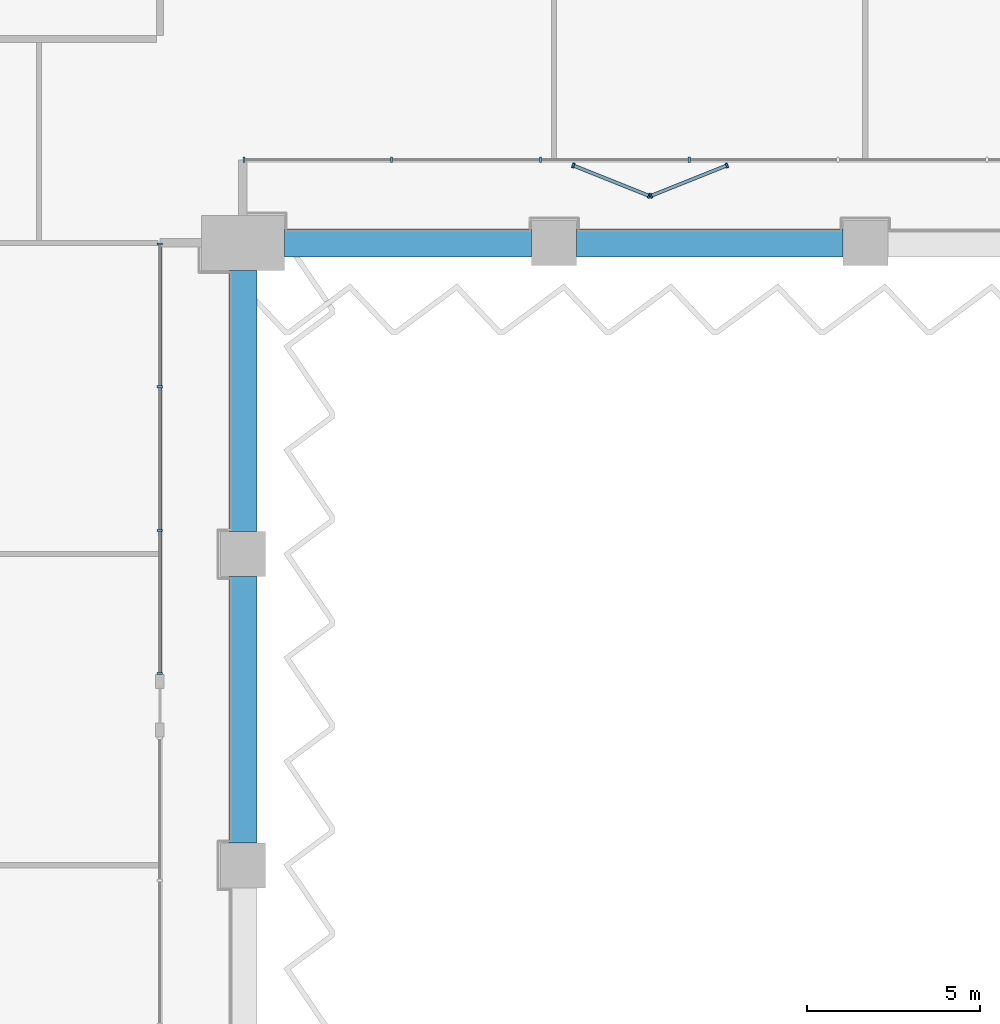
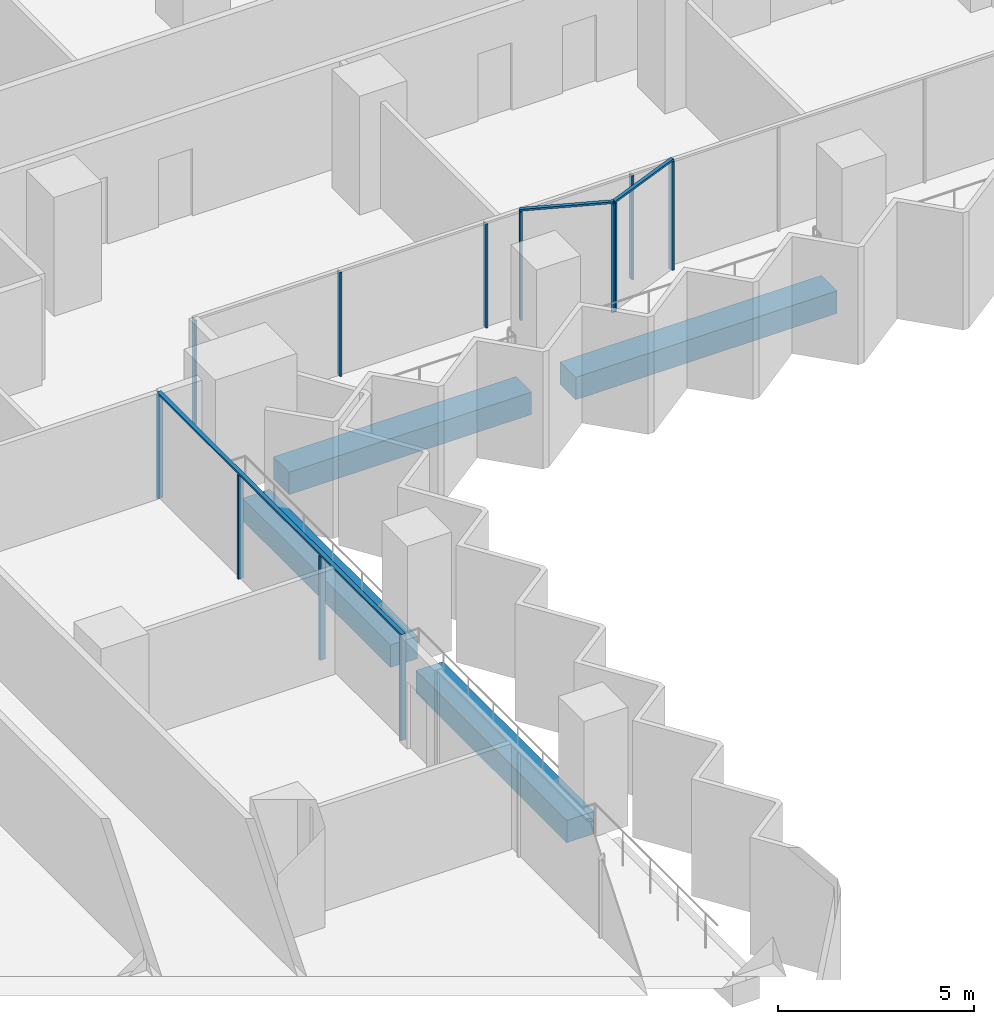
# One storey, part 4 of 28: 15 members, 4 beams, 4 elements without a shape of their own.
"""IFC4 building model written with IfcOpenShell, lengths in metres."""

from ifc_helpers import new_model, si_unit, direction, frame, origin, origin_2d, place, context, subcontext, project, spatial, rectangle, extrude, material, material_profile, profile_set, type_object, element, aggregate, save


model = new_model("IFC4")

# Units and contexts
model_context = context("Model", 3, precision=1e-05, world=origin(), true_north=direction((0.0, 1.0)))
body_context = subcontext(model_context, "Body", "Model", "MODEL_VIEW")
ifc_project = project(units=[si_unit("LENGTHUNIT", "METRE"), si_unit("AREAUNIT", "SQUARE_METRE"), si_unit("VOLUMEUNIT", "CUBIC_METRE"), si_unit("PLANEANGLEUNIT", "RADIAN"), si_unit("MASSUNIT", "GRAM", prefix="KILO")], contexts=[model_context])

# Site, building, storey
site_placement = place(None, origin())
site = spatial("IfcSite", under=ifc_project, at=site_placement, CompositionType="ELEMENT")
building_placement = place(site_placement, origin())
building = spatial("IfcBuilding", under=site, at=building_placement, Name="Hunhe Ridgeline Campus", CompositionType="ELEMENT")
storey_placement = place(building_placement, frame((0.0, 0.0, 43.199951171875)))
storey = spatial("IfcBuildingStorey", under=building, at=storey_placement, Name="L09", CompositionType="ELEMENT", Elevation=43.199951171875)

# Curtain wall, members
ifc_material_1 = material(Name="Aluminium 6063", Category="aluminium")
curtain_wall_type_1 = type_object("IfcCurtainWallType", Name="Curtain wall CW-1", PredefinedType="NOTDEFINED", material=ifc_material_1)
curtain_wall_1_placement = place(storey_placement, origin())
curtain_wall_1 = element("IfcCurtainWall", 1, at=curtain_wall_1_placement, inside=storey, type_object=curtain_wall_type_1, Name="Curtain wall 12", PredefinedType="NOTDEFINED")
ifc_material_profile_1 = material_profile(ifc_material_1, rectangle(XDim=0.159912109375, YDim=0.06005859375, at=origin_2d()))
ifc_profile_set_1 = profile_set([ifc_material_profile_1], Name="Aluminium 6063")
member_type_1 = type_object("IfcMemberType", Name="CW-1 aluminium mullion", PredefinedType="MULLION", material=ifc_profile_set_1)
member_1_placement = place(storey_placement, frame((42.59912109375, 41.54833984375, 0.0), z_axis=(0.0, 0.0, 1.0), x_axis=(-1.0, 1.60239e-07, 0.0)))
member_1 = element("IfcMember", 2, at=member_1_placement, type_object=member_type_1, Name="CW-1 mullion 1", PredefinedType="MULLION", context=body_context, shape_type="SweptSolid", body=[
    extrude(rectangle(XDim=0.159912109375, YDim=0.06005859375, at=origin_2d()), origin(), (0.0, 0.0, 1.0), 3.239990234375),
])
member_2_placement = place(storey_placement, frame((42.59912109375, 45.678955078125, 0.0), z_axis=(0.0, 0.0, 1.0), x_axis=(-1.0, 1.60239e-07, 0.0)))
member_2 = element("IfcMember", 3, at=member_2_placement, type_object=member_type_1, Name="CW-1 mullion 2", PredefinedType="MULLION", context=body_context, shape_type="SweptSolid", body=[
    extrude(rectangle(XDim=0.159912109375, YDim=0.06005859375, at=origin_2d()), origin(), (0.0, 0.0, 1.0), 3.239990234375),
])
member_3_placement = place(storey_placement, frame((42.59912109375, 49.839599609375, 0.0), z_axis=(0.0, 0.0, 1.0), x_axis=(-1.0, 1.60239e-07, 0.0)))
member_3 = element("IfcMember", 4, at=member_3_placement, type_object=member_type_1, Name="CW-1 mullion 3", PredefinedType="MULLION", context=body_context, shape_type="SweptSolid", body=[
    extrude(rectangle(XDim=0.159912109375, YDim=0.06005859375, at=origin_2d()), origin(), (0.0, 0.0, 1.0), 3.239990234375),
])
member_4_placement = place(storey_placement, frame((42.59912109375, 53.97021484375, 0.0), z_axis=(0.0, 0.0, 1.0), x_axis=(-1.0, 1.60239e-07, 0.0)))
member_4 = element("IfcMember", 5, at=member_4_placement, type_object=member_type_1, Name="CW-1 mullion 4", PredefinedType="MULLION", context=body_context, shape_type="SweptSolid", body=[
    extrude(rectangle(XDim=0.159912109375, YDim=0.06005859375, at=origin_2d()), origin(), (0.0, 0.0, 1.0), 3.239990234375),
])

curtain_wall_2_placement = place(storey_placement, origin())
curtain_wall_2 = element("IfcCurtainWall", 6, at=curtain_wall_2_placement, inside=storey, type_object=curtain_wall_type_1, Name="Curtain wall 13", PredefinedType="NOTDEFINED")
member_5_placement = place(storey_placement, frame((45.029541015625, 56.40087890625, 0.0), z_axis=(0.0, 0.0, 1.0), x_axis=(-3.602063e-06, 0.999999999994, 0.0)))
member_5 = element("IfcMember", 7, at=member_5_placement, type_object=member_type_1, Name="CW-1 mullion 1", PredefinedType="MULLION", context=body_context, shape_type="SweptSolid", body=[
    extrude(rectangle(XDim=0.159912109375, YDim=0.06005859375, at=origin_2d()), origin(), (0.0, 0.0, 1.0), 3.239990234375),
])
member_6_placement = place(storey_placement, frame((49.302490234375, 56.40087890625, 0.0), z_axis=(0.0, 0.0, 1.0), x_axis=(-3.602063e-06, 0.999999999994, 0.0)))
member_6 = element("IfcMember", 8, at=member_6_placement, type_object=member_type_1, Name="CW-1 mullion 2", PredefinedType="MULLION", context=body_context, shape_type="SweptSolid", body=[
    extrude(rectangle(XDim=0.159912109375, YDim=0.06005859375, at=origin_2d()), origin(), (0.0, 0.0, 1.0), 3.239990234375),
])
member_7_placement = place(storey_placement, frame((53.605712890625, 56.40087890625, 0.0), z_axis=(0.0, 0.0, 1.0), x_axis=(-3.602063e-06, 0.999999999994, 0.0)))
member_7 = element("IfcMember", 9, at=member_7_placement, type_object=member_type_1, Name="CW-1 mullion 3", PredefinedType="MULLION", context=body_context, shape_type="SweptSolid", body=[
    extrude(rectangle(XDim=0.159912109375, YDim=0.06005859375, at=origin_2d()), origin(), (0.0, 0.0, 1.0), 3.239990234375),
])
member_8_placement = place(storey_placement, frame((57.90869140625, 56.40087890625, 0.0), z_axis=(0.0, 0.0, 1.0), x_axis=(-3.602063e-06, 0.999999999994, 0.0)))
member_8 = element("IfcMember", 10, at=member_8_placement, type_object=member_type_1, Name="CW-1 mullion 4", PredefinedType="MULLION", context=body_context, shape_type="SweptSolid", body=[
    extrude(rectangle(XDim=0.159912109375, YDim=0.06005859375, at=origin_2d()), origin(), (0.0, 0.0, 1.0), 3.239990234375),
])
aggregate(curtain_wall_2, [member_5, member_6, member_7, member_8])

# Member
ifc_material_profile_2 = material_profile(ifc_material_1, rectangle(XDim=0.1201171875, YDim=0.06005859375, at=origin_2d()))
ifc_profile_set_2 = profile_set([ifc_material_profile_2], Name="Aluminium 6063")
member_type_2 = type_object("IfcMemberType", Name="CW-1 aluminium transom", PredefinedType="USERDEFINED", material=ifc_profile_set_2)
member_9_placement = place(storey_placement, frame((42.59912109375, 41.518310546875, 3.27001953125), z_axis=(0.0, 1.0, 0.0), x_axis=(-1.0, 0.0, 0.0)))
member_9 = element("IfcMember", 11, at=member_9_placement, type_object=member_type_2, Name="CW-1 transom 1", ObjectType="TRANSOM", PredefinedType="USERDEFINED", context=body_context, shape_type="SweptSolid", body=[
    extrude(rectangle(XDim=0.1201171875, YDim=0.06005859375, at=origin_2d()), origin(), (0.0, 0.0, 1.0), 12.481689453125),
])

aggregate(curtain_wall_1, [member_9, member_1, member_2, member_3, member_4])

# Curtain wall, members
curtain_wall_type_2 = type_object("IfcCurtainWallType", Name="Curtain wall CW-2", PredefinedType="NOTDEFINED", material=ifc_material_1)
curtain_wall_3_placement = place(storey_placement, origin())
curtain_wall_3 = element("IfcCurtainWall", 12, at=curtain_wall_3_placement, inside=storey, type_object=curtain_wall_type_2, Name="Curtain wall B01a", PredefinedType="NOTDEFINED")
ifc_material_profile_3 = material_profile(ifc_material_1, rectangle(XDim=0.139892578125, YDim=0.06005859375, at=origin_2d()))
ifc_profile_set_3 = profile_set([ifc_material_profile_3], Name="Aluminium 6063")
member_type_3 = type_object("IfcMemberType", Name="CW-2 aluminium mullion", PredefinedType="MULLION", material=ifc_profile_set_3)
member_10_placement = place(storey_placement, frame((54.55224609375, 56.23974609375, 0.0), z_axis=(0.0, 0.0, 1.0), x_axis=(0.371387403557, 0.928477999997, 0.0)))
member_10 = element("IfcMember", 13, at=member_10_placement, type_object=member_type_3, Name="CW-2 mullion 1", PredefinedType="MULLION", context=body_context, shape_type="SweptSolid", body=[
    extrude(rectangle(XDim=0.139892578125, YDim=0.06005859375, at=origin_2d()), origin(), (0.0, 0.0, 1.0), 3.39013671875),
])
member_11_placement = place(storey_placement, frame((56.74658203125, 55.362060546875, 0.0), z_axis=(0.0, 0.0, 1.0), x_axis=(0.371387403557, 0.928477999997, 0.0)))
member_11 = element("IfcMember", 14, at=member_11_placement, type_object=member_type_3, Name="CW-2 mullion 2", PredefinedType="MULLION", context=body_context, shape_type="SweptSolid", body=[
    extrude(rectangle(XDim=0.139892578125, YDim=0.06005859375, at=origin_2d()), origin(), (0.0, 0.0, 1.0), 3.39013671875),
])

curtain_wall_4_placement = place(storey_placement, origin())
curtain_wall_4 = element("IfcCurtainWall", 15, at=curtain_wall_4_placement, inside=storey, type_object=curtain_wall_type_2, Name="Curtain wall B01b", PredefinedType="NOTDEFINED")
member_12_placement = place(storey_placement, frame((56.80224609375, 55.362060546875, 0.0), z_axis=(0.0, 0.0, 1.0), x_axis=(-0.371393949135, 0.928475381766, 0.0)))
member_12 = element("IfcMember", 16, at=member_12_placement, type_object=member_type_3, Name="CW-2 mullion 1", PredefinedType="MULLION", context=body_context, shape_type="SweptSolid", body=[
    extrude(rectangle(XDim=0.139892578125, YDim=0.06005859375, at=origin_2d()), origin(), (0.0, 0.0, 1.0), 3.39013671875),
])
member_13_placement = place(storey_placement, frame((58.99658203125, 56.23974609375, 0.0), z_axis=(0.0, 0.0, 1.0), x_axis=(-0.371393949135, 0.928475381766, 0.0)))
member_13 = element("IfcMember", 17, at=member_13_placement, type_object=member_type_3, Name="CW-2 mullion 2", PredefinedType="MULLION", context=body_context, shape_type="SweptSolid", body=[
    extrude(rectangle(XDim=0.139892578125, YDim=0.06005859375, at=origin_2d()), origin(), (0.0, 0.0, 1.0), 3.39013671875),
])

# Member
ifc_material_profile_4 = material_profile(ifc_material_1, rectangle(XDim=0.10009765625, YDim=0.06005859375, at=origin_2d()))
ifc_profile_set_4 = profile_set([ifc_material_profile_4], Name="Aluminium 6063")
member_type_4 = type_object("IfcMemberType", Name="CW-2 aluminium transom", PredefinedType="USERDEFINED", material=ifc_profile_set_4)
member_14_placement = place(storey_placement, frame((54.5244140625, 56.2509765625, 3.420166015625), z_axis=(0.928455845856, -0.371442784687, 0.0), x_axis=(0.371442784687, 0.928455845856, 0.0)))
member_14 = element("IfcMember", 18, at=member_14_placement, type_object=member_type_4, Name="CW-2 transom 1", ObjectType="TRANSOM", PredefinedType="USERDEFINED", context=body_context, shape_type="SweptSolid", body=[
    extrude(rectangle(XDim=0.10009765625, YDim=0.06005859375, at=origin_2d()), origin(), (0.0, 0.0, 1.0), 2.42333984375),
])

aggregate(curtain_wall_3, [member_14, member_10, member_11])

member_15_placement = place(storey_placement, frame((56.7744140625, 55.350830078125, 3.420166015625), z_axis=(0.928455845856, 0.371442784687, 0.0), x_axis=(-0.371442784687, 0.928455845856, 0.0)))
member_15 = element("IfcMember", 19, at=member_15_placement, type_object=member_type_4, Name="CW-2 transom 1", ObjectType="TRANSOM", PredefinedType="USERDEFINED", context=body_context, shape_type="SweptSolid", body=[
    extrude(rectangle(XDim=0.10009765625, YDim=0.06005859375, at=origin_2d()), origin(), (0.0, 0.0, 1.0), 2.42333984375),
])

aggregate(curtain_wall_4, [member_15, member_12, member_13])

# Beams
ifc_material_2 = material(Name="Concrete C60", Category="concrete")
ifc_material_profile_5 = material_profile(ifc_material_2, rectangle(XDim=0.800048828125, YDim=0.699951171875, at=origin_2d()))
ifc_profile_set_5 = profile_set([ifc_material_profile_5], Name="Concrete C60")
beam_type = type_object("IfcBeamType", Name="RC spandrel beam 800x700 Concrete C60", PredefinedType="SPANDREL", material=ifc_profile_set_5)
beam_1_placement = place(storey_placement, frame((45.0, 36.64990234375, -0.599853515625), z_axis=(0.0, 1.0, 0.0), x_axis=(-1.0, 0.0, 0.0)))
element("IfcBeam", 20, at=beam_1_placement, inside=storey, type_object=beam_type, Name="Spandrel beam B1-10 L09", PredefinedType="SPANDREL", context=body_context, shape_type="SweptSolid", body=[
    extrude(rectangle(XDim=0.800048828125, YDim=0.699951171875, at=origin_2d()), origin(), (0.0, 0.0, 1.0), 7.7001953125),
])
beam_2_placement = place(storey_placement, frame((45.0, 45.64990234375, -0.599853515625), z_axis=(0.0, 1.0, 0.0), x_axis=(-1.0, 0.0, 0.0)))
element("IfcBeam", 21, at=beam_2_placement, inside=storey, type_object=beam_type, Name="Spandrel beam B1-11 L09", PredefinedType="SPANDREL", context=body_context, shape_type="SweptSolid", body=[
    extrude(rectangle(XDim=0.800048828125, YDim=0.699951171875, at=origin_2d()), origin(), (0.0, 0.0, 1.0), 7.550048828125),
])
beam_3_placement = place(storey_placement, frame((46.199951171875, 54.0, -0.599853515625), z_axis=(1.0, 0.0, 0.0), x_axis=(0.0, 1.0, 0.0)))
element("IfcBeam", 22, at=beam_3_placement, inside=storey, type_object=beam_type, Name="Spandrel beam B1-12 L09", PredefinedType="SPANDREL", context=body_context, shape_type="SweptSolid", body=[
    extrude(rectangle(XDim=0.800048828125, YDim=0.699951171875, at=origin_2d()), origin(), (0.0, 0.0, 1.0), 7.150146484375),
])
beam_4_placement = place(storey_placement, frame((54.64990234375, 54.0, -0.599853515625), z_axis=(1.0, 0.0, 0.0), x_axis=(0.0, 1.0, 0.0)))
element("IfcBeam", 23, at=beam_4_placement, inside=storey, type_object=beam_type, Name="Spandrel beam B1-13 L09", PredefinedType="SPANDREL", context=body_context, shape_type="SweptSolid", body=[
    extrude(rectangle(XDim=0.800048828125, YDim=0.699951171875, at=origin_2d()), origin(), (0.0, 0.0, 1.0), 7.7001953125),
])

save(model, "model.ifc")
